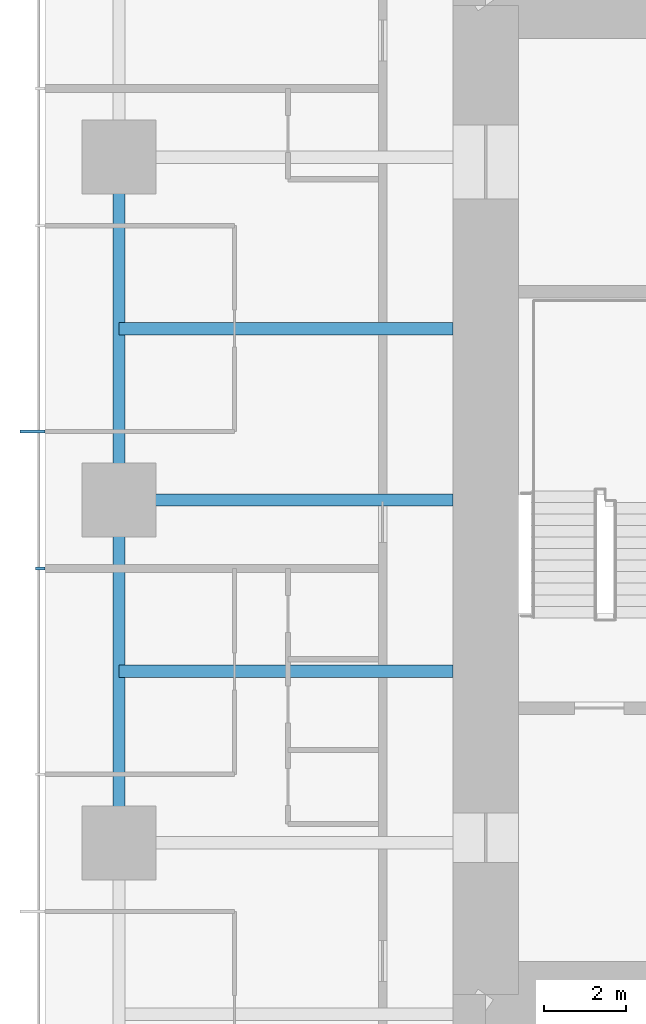
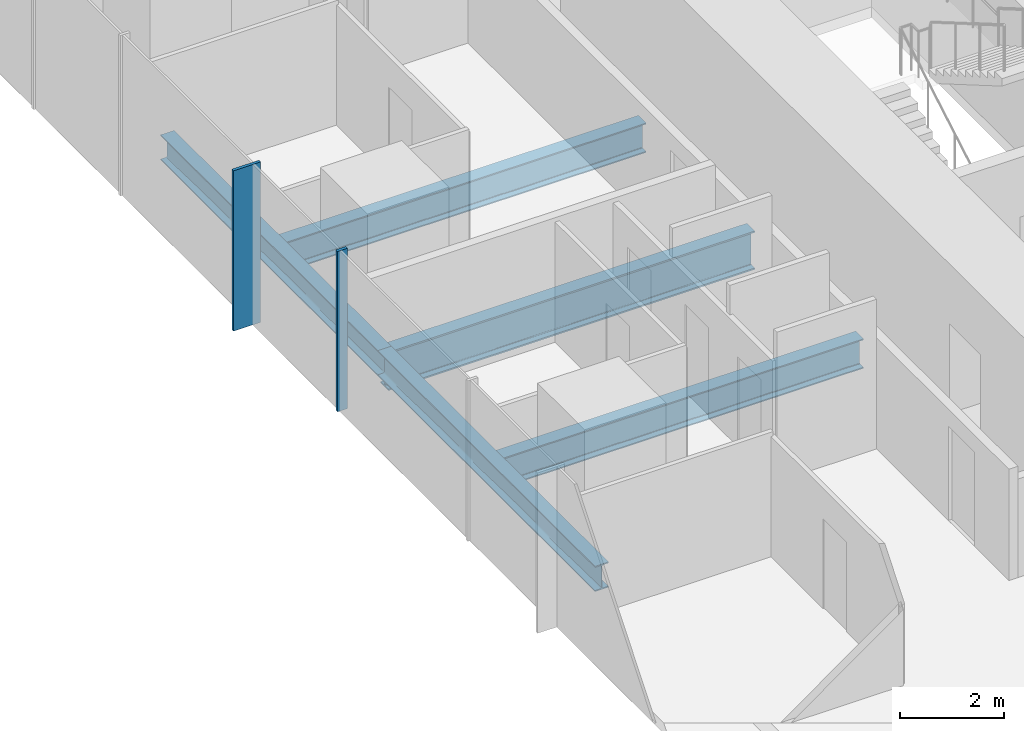
# One storey, part 3 of 12: 5 beams, 2 members, 1 element without a shape of its own.
"""IFC4 building model written with IfcOpenShell, lengths in metres."""

from ifc_helpers import new_model, si_unit, direction, frame, origin, origin_2d, place, context, subcontext, project, spatial, rectangle, i_section, extrude, material, material_profile, profile_set, type_object, element, aggregate, save


model = new_model("IFC4")

# Units and contexts
model_context = context("Model", 3, precision=1e-05, world=origin(), true_north=direction((0.0, 1.0)))
body_context = subcontext(model_context, "Body", "Model", "MODEL_VIEW")
ifc_project = project(units=[si_unit("LENGTHUNIT", "METRE"), si_unit("AREAUNIT", "SQUARE_METRE"), si_unit("VOLUMEUNIT", "CUBIC_METRE"), si_unit("PLANEANGLEUNIT", "RADIAN"), si_unit("MASSUNIT", "GRAM", prefix="KILO")], contexts=[model_context])

# Site, building, storey
site_placement = place(None, origin())
site = spatial("IfcSite", under=ifc_project, at=site_placement, CompositionType="ELEMENT")
building_placement = place(site_placement, origin())
building = spatial("IfcBuilding", under=site, at=building_placement, Name="Khuree Lantern Residences", CompositionType="ELEMENT")
storey_placement = place(building_placement, frame((0.0, 0.0, 218.25)))
storey = spatial("IfcBuildingStorey", under=building, at=storey_placement, Name="L54", CompositionType="ELEMENT", Elevation=218.25)

# Beams
ifc_material_1 = material(Name="Steel S355", Category="steel")
ifc_material_profile_1 = material_profile(ifc_material_1, i_section(OverallWidth=0.300048828125, OverallDepth=0.68994140625, WebThickness=0.014404296875, FlangeThickness=0.027099609375, FilletRadius=0.027099609375, at=origin_2d()), Name="HE 700 A")
ifc_profile_set_1 = profile_set([ifc_material_profile_1], Name="Steel S355")
beam_type_1 = type_object("IfcBeamType", Name="B-32 SECONDARY BEAM HE 700 A", PredefinedType="BEAM", material=ifc_profile_set_1)
for number, where, z_axis, x_axis, name in (
    (1, (-24.39990234375, -4.159912109375, -0.594970703125), (1.0, 0.0, 0.0), (0.0, 1.0, 0.0), "Secondary beam W3"),
    (2, (-24.39990234375, 4.159912109375, -0.594970703125), (1.0, 0.0, 0.0), (0.0, 1.0, 0.0), "Secondary beam W4"),
):
    element("IfcBeam", number, at=place(storey_placement, frame(where, z_axis=z_axis, x_axis=x_axis)), inside=storey, type_object=beam_type_1, Name=name, PredefinedType="BEAM", context=body_context, shape_type="SweptSolid", body=[
        extrude(i_section(OverallWidth=0.300048828125, OverallDepth=0.68994140625, WebThickness=0.014404296875, FlangeThickness=0.027099609375, FilletRadius=0.027099609375, at=origin_2d()), origin(), (0.0, 0.0, 1.0), 8.099853515625),
    ])
ifc_material_profile_2 = material_profile(ifc_material_1, i_section(OverallWidth=0.300048828125, OverallDepth=0.590087890625, WebThickness=0.012939453125, FlangeThickness=0.02490234375, FilletRadius=0.027099609375, at=origin_2d()), Name="HE 600 A")
ifc_profile_set_2 = profile_set([ifc_material_profile_2], Name="Steel S355")
beam_type_2 = type_object("IfcBeamType", Name="E-32 SPANDREL BEAM HE 600 A", PredefinedType="SPANDREL", material=ifc_profile_set_2)
for number, where, z_axis, x_axis, name in (
    (3, (-24.39990234375, -8.320068359375, -0.544921875), (0.0, 1.0, 0.0), (-1.0, 0.0, 0.0), "Spandrel beam W3"),
    (4, (-24.39990234375, 0.0, -0.544921875), (0.0, 1.0, 0.0), (-1.0, 0.0, 0.0), "Spandrel beam W4"),
):
    element("IfcBeam", number, at=place(storey_placement, frame(where, z_axis=z_axis, x_axis=x_axis)), inside=storey, type_object=beam_type_2, Name=name, PredefinedType="SPANDREL", context=body_context, shape_type="SweptSolid", body=[
        extrude(i_section(OverallWidth=0.300048828125, OverallDepth=0.590087890625, WebThickness=0.012939453125, FlangeThickness=0.02490234375, FilletRadius=0.027099609375, at=origin_2d()), origin(), (0.0, 0.0, 1.0), 8.320068359375),
    ])

# Curtain wall, member
ifc_material_2 = material(Name="Bronze anodised aluminium", Category="aluminium")
curtain_wall_type = type_object("IfcCurtainWallType", Name="CW-T1 TOWER FACE CURTAIN WALL", PredefinedType="USERDEFINED", material=ifc_material_2)
curtain_wall_placement = place(storey_placement, origin())
curtain_wall = element("IfcCurtainWall", 5, at=curtain_wall_placement, inside=storey, type_object=curtain_wall_type, Name="L54 WEST FACE CURTAIN WALL", ObjectType="Stick-built curtain wall", PredefinedType="USERDEFINED")
ifc_material_profile_3 = material_profile(ifc_material_2, rectangle(XDim=0.06494140625, YDim=0.60009765625, at=origin_2d()), Name="F1 65X600")
ifc_profile_set_3 = profile_set([ifc_material_profile_3], Name="Bronze anodised aluminium")
member_type_1 = type_object("IfcMemberType", Name="F1 BRONZE FIN MULLION TOWER 65X600", PredefinedType="MULLION", material=ifc_profile_set_3)
member_1_placement = place(storey_placement, frame((-26.5, 1.6640625, 0.0), z_axis=(0.0, 0.0, 1.0), x_axis=(0.0, -1.0, 0.0)))
member_1 = element("IfcMember", 6, at=member_1_placement, type_object=member_type_1, Name="L54 WEST FACE FIN MULLION 37", PredefinedType="MULLION", context=body_context, shape_type="SweptSolid", body=[
    extrude(rectangle(XDim=0.06494140625, YDim=0.60009765625, at=origin_2d()), origin(), (0.0, 0.0, 1.0), 3.75),
])

# Beam
ifc_material_profile_4 = material_profile(ifc_material_1, i_section(OverallWidth=0.300048828125, OverallDepth=0.89990234375, WebThickness=0.0185546875, FlangeThickness=0.034912109375, FilletRadius=0.030029296875, at=origin_2d()), Name="HE 900 B")
ifc_profile_set_4 = profile_set([ifc_material_profile_4], Name="Steel S355")
beam_type_3 = type_object("IfcBeamType", Name="G-32 GIRDER HE 900 B", PredefinedType="BEAM", material=ifc_profile_set_4)
beam_placement = place(storey_placement, frame((-24.39990234375, 0.0, -0.699951171875), z_axis=(1.0, 0.0, 0.0), x_axis=(0.0, 1.0, 0.0)))
element("IfcBeam", 7, at=beam_placement, inside=storey, type_object=beam_type_3, Name="Girder W3", PredefinedType="BEAM", context=body_context, shape_type="SweptSolid", body=[
    extrude(i_section(OverallWidth=0.300048828125, OverallDepth=0.89990234375, WebThickness=0.0185546875, FlangeThickness=0.034912109375, FilletRadius=0.030029296875, at=origin_2d()), origin(), (0.0, 0.0, 1.0), 8.099853515625),
])

# Member
ifc_material_profile_5 = material_profile(ifc_material_2, rectangle(XDim=0.06494140625, YDim=0.219970703125, at=origin_2d()), Name="M1 65X220")
ifc_profile_set_5 = profile_set([ifc_material_profile_5], Name="Bronze anodised aluminium")
member_type_2 = type_object("IfcMemberType", Name="M1 BRONZE MULLION TOWER 65X220", PredefinedType="MULLION", material=ifc_profile_set_5)
member_2_placement = place(storey_placement, frame((-26.31005859375, -1.6640625, 0.0), z_axis=(0.0, 0.0, 1.0), x_axis=(0.0, -1.0, 0.0)))
member_2 = element("IfcMember", 8, at=member_2_placement, type_object=member_type_2, Name="L54 WEST FACE MULLION 38", PredefinedType="MULLION", context=body_context, shape_type="SweptSolid", body=[
    extrude(rectangle(XDim=0.06494140625, YDim=0.219970703125, at=origin_2d()), origin(), (0.0, 0.0, 1.0), 3.75),
])

aggregate(curtain_wall, [member_1, member_2])

save(model, "model.ifc")
